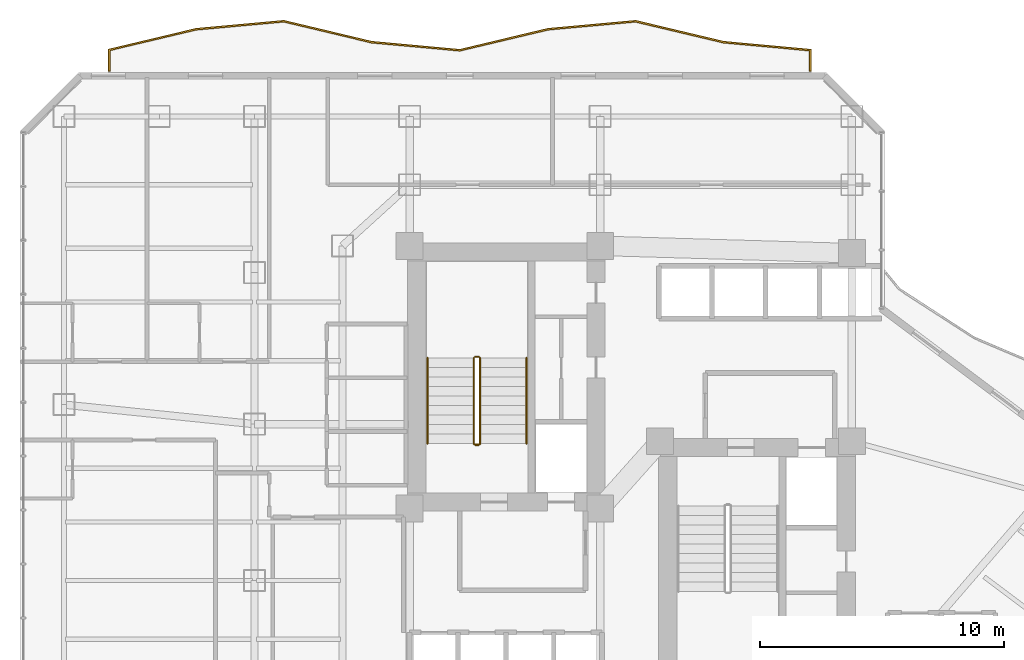
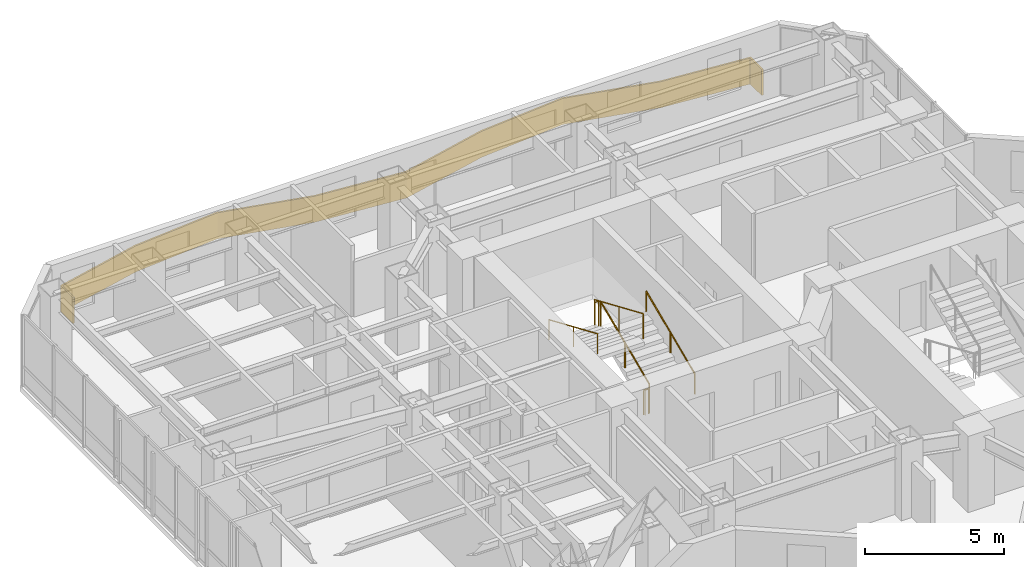
# One storey, part 29 of 30: 8 railings.
"""IFC4 building model written with IfcOpenShell, lengths in metres."""

from ifc_helpers import new_model, si_unit, direction, frame, origin, origin_2d, place, context, subcontext, project, spatial, polyline, circle, outline, extrude, material, layer, layer_set, type_object, element, save


model = new_model("IFC4")

# Units and contexts
model_context = context("Model", 3, precision=1e-05, world=origin(), true_north=direction((0.0, 1.0)))
body_context = subcontext(model_context, "Body", "Model", "MODEL_VIEW")
ifc_project = project(units=[si_unit("LENGTHUNIT", "METRE"), si_unit("AREAUNIT", "SQUARE_METRE"), si_unit("VOLUMEUNIT", "CUBIC_METRE"), si_unit("PLANEANGLEUNIT", "RADIAN"), si_unit("MASSUNIT", "GRAM", prefix="KILO")], contexts=[model_context])

# Site, building, storey
site_placement = place(None, origin())
site = spatial("IfcSite", under=ifc_project, at=site_placement, CompositionType="ELEMENT")
building_placement = place(site_placement, origin())
building = spatial("IfcBuilding", under=site, at=building_placement, Name="Hatsunagi Terrace Concourse", CompositionType="ELEMENT")
storey_placement = place(building_placement, frame((0.0, 0.0, 74.60009765625)))
storey = spatial("IfcBuildingStorey", under=building, at=storey_placement, Name="L19", CompositionType="ELEMENT", Elevation=74.60009765625)

# Railings
ifc_material_1 = material(Name="Laminated Glass and Stainless Steel Guard", Category="steel")
ifc_layer_1 = layer(ifc_material_1, 0.070068359375)
ifc_layer_set_1 = layer_set([ifc_layer_1], Name="BalconyGlassGuardRail_1150")
railing_type_1 = type_object("IfcRailingType", Name="BalconyGlassGuardRail_1150", PredefinedType="BALUSTRADE", material=ifc_layer_set_1)
railing_1_placement = place(storey_placement, origin())
element("IfcRailing", 1, at=railing_1_placement, inside=storey, type_object=railing_type_1, Name="Engawa Balcony Guard GRD-01 L19-BN-1", PredefinedType="BALUSTRADE", context=body_context, shape_type="SweptSolid", body=[
    extrude(outline(polyline([(13.215087890625, 50.449951171875), (13.284912109375, 50.449951171875), (13.284912109375, 51.289306640625), (16.813720703125, 52.13037109375), (20.3935546875, 52.45751953125), (23.986328125, 51.602294921875), (27.6064453125, 51.26953125), (31.213623046875, 52.13037109375), (34.79345703125, 52.45751953125), (38.38623046875, 51.602294921875), (41.9150390625, 51.278076171875), (41.9150390625, 50.449951171875), (41.985107421875, 50.449951171875), (41.985107421875, 51.341796875), (38.397705078125, 51.671630859375), (34.798583984375, 52.5283203125), (31.202392578125, 52.19970703125), (27.6015625, 51.34033203125), (23.997802734375, 51.671630859375), (20.3984375, 52.5283203125), (16.80224609375, 52.19970703125), (13.215087890625, 51.344482421875), (13.215087890625, 50.449951171875)])), origin(), (0.0, 0.0, 1.0), 1.14990234375),
])
ifc_material_2 = material(Name="Stainless steel", Category="steel")
ifc_layer_2 = layer(ifc_material_2, 0.044921875)
ifc_layer_set_2 = layer_set([ifc_layer_2], Name="StairPitchHandrail_Tower2000")
railing_type_2 = type_object("IfcRailingType", Name="StairPitchHandrail_Tower2000", PredefinedType="HANDRAIL", material=ifc_layer_set_2)
railing_2_placement = place(storey_placement, frame((30.330078125, 35.199951171875, 0.16748046875)))
element("IfcRailing", 2, at=railing_2_placement, inside=storey, type_object=railing_type_2, Name="L19 ST-A stair handrail 1", PredefinedType="HANDRAIL", context=body_context, shape_type="SweptSolid", body=[
    extrude(circle(Radius=0.02392578125, at=origin_2d()), frame((0.0, 0.0, 0.8759765625), z_axis=(0.0, 0.918857182807, 0.394590265469), x_axis=(-1.0, 0.0, 0.0)), (0.0, 0.0, 1.0), 3.820068359375),
    extrude(circle(Radius=0.02099609375, at=origin_2d()), origin(), (0.0, 0.0, 1.0), 0.851806640625),
    extrude(circle(Radius=0.02099609375, at=origin_2d()), frame((0.0, 1.7548828125, 0.753662109375)), (0.0, 0.0, 1.0), 0.851806640625),
    extrude(circle(Radius=0.02099609375, at=origin_2d()), frame((0.0, 3.510009765625, 1.50732421875)), (0.0, 0.0, 1.0), 0.851806640625),
])
railing_3_placement = place(storey_placement, frame((26.280029296875, 38.7099609375, 1.84228515625)))
element("IfcRailing", 3, at=railing_3_placement, inside=storey, type_object=railing_type_2, Name="L19 ST-A stair handrail 2", PredefinedType="HANDRAIL", context=body_context, shape_type="SweptSolid", body=[
    extrude(circle(Radius=0.02392578125, at=origin_2d()), frame((0.0, 0.0, 0.8759765625), z_axis=(0.0, -0.918834009242, 0.394644223904), x_axis=(1.0, 0.0, 0.0)), (0.0, 0.0, 1.0), 3.820068359375),
    extrude(circle(Radius=0.02099609375, at=origin_2d()), origin(), (0.0, 0.0, 1.0), 0.851806640625),
    extrude(circle(Radius=0.02099609375, at=origin_2d()), frame((0.0, -1.7548828125, 0.75390625)), (0.0, 0.0, 1.0), 0.851806640625),
    extrude(circle(Radius=0.02099609375, at=origin_2d()), frame((0.0, -3.510009765625, 1.507568359375)), (0.0, 0.0, 1.0), 0.851806640625),
])
ifc_material_3 = material(Name="Stainless steel", Category="steel")
ifc_layer_3 = layer(ifc_material_3, 0.06005859375)
ifc_layer_set_3 = layer_set([ifc_layer_3], Name="StairWellGuard_Tower2000")
railing_type_3 = type_object("IfcRailingType", Name="StairWellGuard_Tower2000", PredefinedType="BALUSTRADE", material=ifc_layer_set_3)
railing_4_placement = place(storey_placement, frame((28.429931640625, 35.199951171875, 0.16748046875)))
element("IfcRailing", 4, at=railing_4_placement, inside=storey, type_object=railing_type_3, Name="L19 ST-A stair guard 1", PredefinedType="BALUSTRADE", context=body_context, shape_type="SweptSolid", body=[
    extrude(circle(Radius=0.02392578125, at=origin_2d()), frame((0.0, 0.0, 1.09619140625), z_axis=(0.0, 0.918857182807, 0.394590265469), x_axis=(-1.0, 0.0, 0.0)), (0.0, 0.0, 1.0), 3.820068359375),
    extrude(circle(Radius=0.02099609375, at=origin_2d()), origin(), (0.0, 0.0, 1.0), 1.072021484375),
    extrude(circle(Radius=0.02099609375, at=origin_2d()), frame((0.0, 1.7548828125, 0.753662109375)), (0.0, 0.0, 1.0), 1.072021484375),
    extrude(circle(Radius=0.02099609375, at=origin_2d()), frame((0.0, 3.510009765625, 1.50732421875)), (0.0, 0.0, 1.0), 1.072021484375),
])
railing_5_placement = place(storey_placement, frame((28.3798828125, 38.760009765625, 1.6748046875)))
element("IfcRailing", 5, at=railing_5_placement, inside=storey, type_object=railing_type_3, Name="L19 ST-A stair guard 2", PredefinedType="BALUSTRADE", context=body_context, shape_type="SweptSolid", body=[
    extrude(circle(Radius=0.02392578125, at=origin_2d()), frame((0.0, 0.0, 1.09619140625), z_axis=(-1.0, 0.0, 0.0), x_axis=(0.0, -1.0, 0.0)), (0.0, 0.0, 1.0), 0.14990234375),
    extrude(circle(Radius=0.02099609375, at=origin_2d()), origin(), (0.0, 0.0, 1.0), 1.072021484375),
    extrude(circle(Radius=0.02099609375, at=origin_2d()), frame((-0.14990234375, 0.0, 0.0)), (0.0, 0.0, 1.0), 1.072021484375),
])
railing_6_placement = place(storey_placement, frame((28.179931640625, 38.7099609375, 1.84228515625)))
element("IfcRailing", 6, at=railing_6_placement, inside=storey, type_object=railing_type_3, Name="L19 ST-A stair guard 3", PredefinedType="BALUSTRADE", context=body_context, shape_type="SweptSolid", body=[
    extrude(circle(Radius=0.02392578125, at=origin_2d()), frame((0.0, 0.0, 1.09619140625), z_axis=(0.0, -0.918834009242, 0.394644223904), x_axis=(1.0, 0.0, 0.0)), (0.0, 0.0, 1.0), 3.820068359375),
    extrude(circle(Radius=0.02099609375, at=origin_2d()), origin(), (0.0, 0.0, 1.0), 1.072021484375),
    extrude(circle(Radius=0.02099609375, at=origin_2d()), frame((0.0, -1.7548828125, 0.75390625)), (0.0, 0.0, 1.0), 1.072021484375),
    extrude(circle(Radius=0.02099609375, at=origin_2d()), frame((0.0, -3.510009765625, 1.507568359375)), (0.0, 0.0, 1.0), 1.072021484375),
])
railing_7_placement = place(storey_placement, frame((28.3798828125, 35.14990234375, 0.0)))
element("IfcRailing", 7, at=railing_7_placement, inside=storey, type_object=railing_type_3, Name="L19 ST-A stair guard 4", PredefinedType="BALUSTRADE", context=body_context, shape_type="SweptSolid", body=[
    extrude(circle(Radius=0.02392578125, at=origin_2d()), frame((0.0, 0.0, 1.09619140625), z_axis=(-1.0, 0.0, 0.0), x_axis=(0.0, -1.0, 0.0)), (0.0, 0.0, 1.0), 0.14990234375),
    extrude(circle(Radius=0.02099609375, at=origin_2d()), origin(), (0.0, 0.0, 1.0), 1.072021484375),
    extrude(circle(Radius=0.02099609375, at=origin_2d()), frame((-0.14990234375, 0.0, 0.0)), (0.0, 0.0, 1.0), 1.072021484375),
])
ifc_material_4 = material(Name="Stainless Steel SUS316 Post-and-Rail Guard", Category="steel")
ifc_layer_4 = layer(ifc_material_4, 0.080078125)
ifc_layer_set_4 = layer_set([ifc_layer_4], Name="TerracePlantedGuardRail_1200")
railing_type_4 = type_object("IfcRailingType", Name="TerracePlantedGuardRail_1200", PredefinedType="GUARDRAIL", material=ifc_layer_set_4)
railing_8_placement = place(storey_placement, frame((28.179931640625, 35.179931640625, 0.0)))
element("IfcRailing", 8, at=railing_8_placement, inside=storey, type_object=railing_type_4, Name="Stair ST-A Well Closure Guard L19", PredefinedType="GUARDRAIL", context=body_context, shape_type="SweptSolid", body=[
    extrude(circle(Radius=0.02392578125, at=origin_2d()), frame((0.0, 0.0, 1.09619140625), z_axis=(1.0, 0.0, 0.0), x_axis=(0.0, 1.0, 0.0)), (0.0, 0.0, 1.0), 0.25),
    extrude(circle(Radius=0.02099609375, at=origin_2d()), origin(), (0.0, 0.0, 1.0), 1.072021484375),
    extrude(circle(Radius=0.02099609375, at=origin_2d()), frame((0.25, 0.0, 0.0)), (0.0, 0.0, 1.0), 1.072021484375),
])

save(model, "model.ifc")
